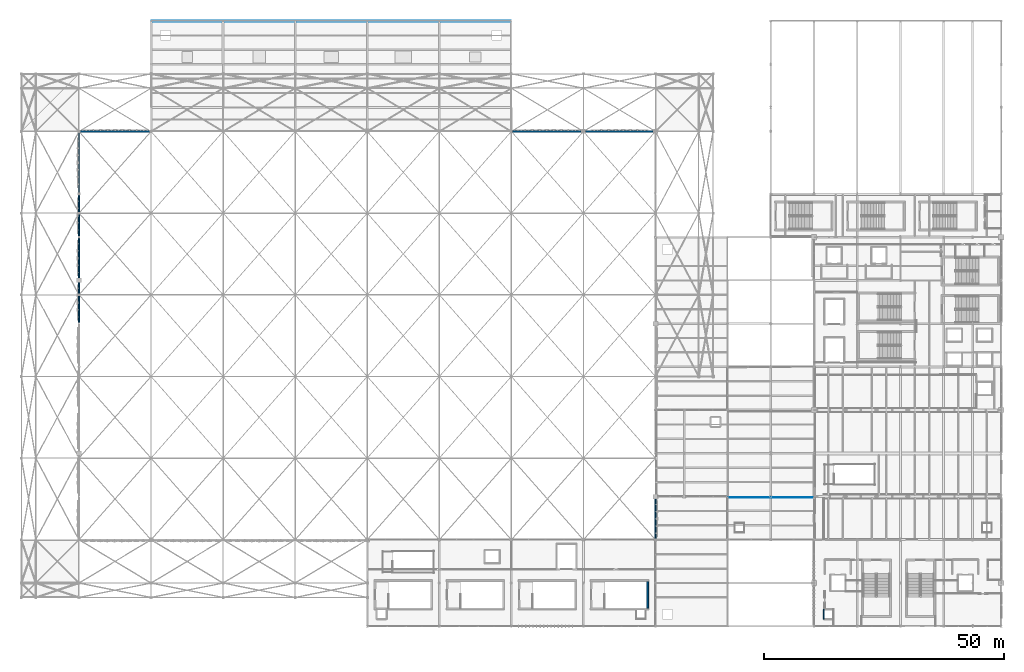
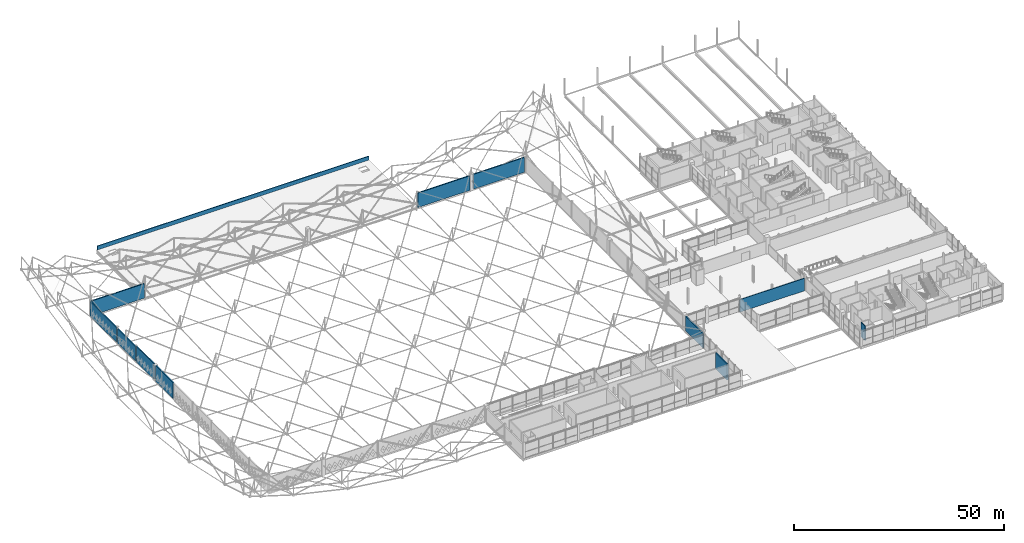
# One storey, part 195 of 224: 12 walls.
"""IFC4 building model written with IfcOpenShell, lengths in metres."""

from ifc_helpers import new_model, si_unit, direction, frame, frame_2d, origin, place, context, subcontext, project, spatial, rectangle, extrude, material, layer, layer_set, type_object, element, save


model = new_model("IFC4")

# Units and contexts
model_context = context("Model", 3, precision=1e-05, world=origin(), true_north=direction((0.0, 1.0)))
body_context = subcontext(model_context, "Body", "Model", "MODEL_VIEW")
ifc_project = project(units=[si_unit("LENGTHUNIT", "METRE"), si_unit("AREAUNIT", "SQUARE_METRE"), si_unit("VOLUMEUNIT", "CUBIC_METRE"), si_unit("PLANEANGLEUNIT", "RADIAN"), si_unit("MASSUNIT", "GRAM", prefix="KILO")], contexts=[model_context])

# Site, building, storey
site_placement = place(None, origin())
site = spatial("IfcSite", under=ifc_project, at=site_placement, CompositionType="ELEMENT")
building_placement = place(site_placement, origin())
building = spatial("IfcBuilding", under=site, at=building_placement, Name="Qamarlyn Nura Convention Centre", CompositionType="ELEMENT")
storey_placement = place(building_placement, frame((0.0, 0.0, 10.800048828125)))
storey = spatial("IfcBuildingStorey", under=building, at=storey_placement, Name="L02", CompositionType="ELEMENT", Elevation=10.800048828125)

# Walls
ifc_material_1 = material(Name="Concrete C50/60", Category="concrete")
ifc_layer_1 = layer(ifc_material_1, 0.35009765625, Name="WT-CORE-350")
ifc_layer_set_1 = layer_set([ifc_layer_1], Name="Concrete C50/60")
wall_type_1 = type_object("IfcWallType", Name="WT-CORE-350", PredefinedType="SHEAR", material=ifc_layer_set_1)
wall_1_placement = place(storey_placement, frame((118.375, 3.800048828125, 0.0), z_axis=(0.0, 0.0, 1.0), x_axis=(0.0, 1.0, 0.0)))
element("IfcWall", 1, at=wall_1_placement, inside=storey, type_object=wall_type_1, Name="L02 stair core shear wall ST-08-E", PredefinedType="SHEAR", context=body_context, shape_type="SweptSolid", body=[
    extrude(rectangle(XDim=5.5, YDim=0.35009765625, at=frame_2d((2.75, 0.0))), origin(), (0.0, 0.0, 1.0), 4.625),
])
ifc_material_2 = material(Name="Concrete C40/50 with UAE coastal limestone stone facing", Category="masonry")
ifc_layer_2 = layer(ifc_material_2, 0.300048828125, Name="WT-LIME-300")
ifc_layer_set_2 = layer_set([ifc_layer_2], Name="Concrete C40/50 with UAE coastal limestone stone facing")
wall_type_2 = type_object("IfcWallType", Name="WT-LIME-300", PredefinedType="SOLIDWALL", material=ifc_layer_set_2)
wall_2_placement = place(storey_placement, frame((0.0, 63.21240234375, 0.0), z_axis=(0.0, 0.0, 1.0), x_axis=(0.0, 1.0, 0.0)))
element("IfcWall", 2, at=wall_2_placement, inside=storey, type_object=wall_type_2, Name="L02 exterior facade wall WEXT-L02-0-632-0-715", PredefinedType="SOLIDWALL", context=body_context, shape_type="SweptSolid", body=[
    extrude(rectangle(XDim=8.3125, YDim=0.300048828125, at=frame_2d((4.15625, 0.0))), origin(), (0.0, 0.0, 1.0), 4.599853515625),
])
wall_3_placement = place(storey_placement, frame((0.0, 72.47509765625, 0.0), z_axis=(0.0, 0.0, 1.0), x_axis=(0.0, 1.0, 0.0)))
element("IfcWall", 3, at=wall_3_placement, inside=storey, type_object=wall_type_2, Name="L02 exterior facade wall WEXT-L02-0-725-0-808", PredefinedType="SOLIDWALL", context=body_context, shape_type="SweptSolid", body=[
    extrude(rectangle(XDim=8.32177734375, YDim=0.300048828125, at=frame_2d((4.160888671875, 0.0))), origin(), (0.0, 0.0, 1.0), 4.599853515625),
])
wall_4_placement = place(storey_placement, frame((0.0, 81.203125, 0.0), z_axis=(0.0, 0.0, 1.0), x_axis=(0.0, 1.0, 0.0)))
element("IfcWall", 4, at=wall_4_placement, inside=storey, type_object=wall_type_2, Name="L02 exterior facade wall WEXT-L02-0-812-0-897", PredefinedType="SOLIDWALL", context=body_context, shape_type="SweptSolid", body=[
    extrude(rectangle(XDim=8.54296875, YDim=0.300048828125, at=frame_2d((4.271484375, 0.0))), origin(), (0.0, 0.0, 1.0), 4.245849609375),
])
wall_5_placement = place(storey_placement, frame((0.0, 90.25390625, 0.0), z_axis=(0.0, 0.0, 1.0), x_axis=(0.0, 1.0, 0.0)))
element("IfcWall", 5, at=wall_5_placement, inside=storey, type_object=wall_type_2, Name="L02 exterior facade wall WEXT-L02-0-903-0-1028", PredefinedType="SOLIDWALL", context=body_context, shape_type="SweptSolid", body=[
    extrude(rectangle(XDim=12.53369140625, YDim=0.300048828125, at=frame_2d((6.266845703125, 0.0))), origin(), (0.0, 0.0, 1.0), 4.31884765625),
])
wall_6_placement = place(storey_placement, frame((0.20458984375, 103.0, 0.0), z_axis=(0.0, 0.0, 1.0), x_axis=(1.0, 0.0, 0.0)))
element("IfcWall", 6, at=wall_6_placement, inside=storey, type_object=wall_type_2, Name="L02 exterior facade wall WEXT-L02-2-1030-148-1030", PredefinedType="SOLIDWALL", context=body_context, shape_type="SweptSolid", body=[
    extrude(rectangle(XDim=14.59228515625, YDim=0.300048828125, at=frame_2d((7.296142578125, 0.0))), origin(), (0.0, 0.0, 1.0), 4.245849609375),
])
wall_7_placement = place(storey_placement, frame((90.203125, 103.0, 0.0), z_axis=(0.0, 0.0, 1.0), x_axis=(1.0, 0.0, 0.0)))
element("IfcWall", 7, at=wall_7_placement, inside=storey, type_object=wall_type_2, Name="L02 exterior facade wall WEXT-L02-902-1030-1045-1030", PredefinedType="SOLIDWALL", context=body_context, shape_type="SweptSolid", body=[
    extrude(rectangle(XDim=14.32177734375, YDim=0.300048828125, at=frame_2d((7.160888671875, 0.0))), origin(), (0.0, 0.0, 1.0), 4.245849609375),
])
wall_8_placement = place(storey_placement, frame((105.47509765625, 103.0, 0.0), z_axis=(0.0, 0.0, 1.0), x_axis=(1.0, 0.0, 0.0)))
element("IfcWall", 8, at=wall_8_placement, inside=storey, type_object=wall_type_2, Name="L02 exterior facade wall WEXT-L02-1055-1030-1195-1030", PredefinedType="SOLIDWALL", context=body_context, shape_type="SweptSolid", body=[
    extrude(rectangle(XDim=14.0498046875, YDim=0.300048828125, at=frame_2d((7.02490234375, 0.0))), origin(), (0.0, 0.0, 1.0), 4.31884765625),
])
wall_9_placement = place(storey_placement, frame((120.0, 26.52490234375, 0.0), z_axis=(0.0, 0.0, 1.0), x_axis=(0.0, -1.0, 0.0)))
element("IfcWall", 9, at=wall_9_placement, inside=storey, type_object=wall_type_2, Name="L02 exterior facade wall WEXT-L02-1200-265-1200-182", PredefinedType="SOLIDWALL", context=body_context, shape_type="SweptSolid", body=[
    extrude(rectangle(XDim=8.3125, YDim=0.300048828125, at=frame_2d((4.15625, 0.0))), origin(), (0.0, 0.0, 1.0), 4.245849609375),
])
ifc_material_3 = material(Name="Concrete C40/50", Category="concrete")
ifc_layer_3 = layer(ifc_material_3, 0.205078125, Name="WT-PAR-205")
ifc_layer_set_3 = layer_set([ifc_layer_3], Name="Concrete C40/50")
wall_type_3 = type_object("IfcWallType", Name="WT-PAR-205", PredefinedType="PARAPET", material=ifc_layer_set_3)
wall_10_placement = place(storey_placement, frame((15.10009765625, 125.89990234375, 0.0), z_axis=(0.0, 0.0, 1.0), x_axis=(1.0, 0.0, 0.0)))
element("IfcWall", 10, at=wall_10_placement, inside=storey, type_object=wall_type_3, Name="L02 roof parapet wall 07", PredefinedType="PARAPET", context=body_context, shape_type="SweptSolid", body=[
    extrude(rectangle(XDim=74.7998046875, YDim=0.205078125, at=frame_2d((37.39990234375, 0.0))), origin(), (0.0, 0.0, 1.0), 1.14990234375),
])
ifc_material_4 = material(Name="Fire-rated acoustic gypsum board EI 60")
ifc_layer_4 = layer(ifc_material_4, 0.159912109375, Name="WT-PART-160")
ifc_layer_set_4 = layer_set([ifc_layer_4], Name="Fire-rated acoustic gypsum board EI 60")
wall_type_4 = type_object("IfcWallType", Name="WT-PART-160", PredefinedType="PARTITIONING", material=ifc_layer_set_4)
wall_11_placement = place(storey_placement, frame((135.011962890625, 26.800048828125, 0.0), z_axis=(0.0, 0.0, 1.0), x_axis=(1.0, 0.0, 0.0)))
element("IfcWall", 11, at=wall_11_placement, inside=storey, type_object=wall_type_4, Name="L02 interior partition L02-BLR-WEST-1-1", PredefinedType="PARTITIONING", context=body_context, shape_type="SweptSolid", body=[
    extrude(rectangle(XDim=17.798095703125, YDim=0.159912109375, at=frame_2d((8.89892578125, 0.0))), origin(), (0.0, 0.0, 1.0), 3.6728515625),
])
ifc_material_5 = material(Name="Fire-rated acoustic gypsum board and mineral wool EI 120")
ifc_layer_5 = layer(ifc_material_5, 0.25, Name="WT-SHAFT-250")
ifc_layer_set_5 = layer_set([ifc_layer_5], Name="Fire-rated acoustic gypsum board and mineral wool EI 120")
wall_type_5 = type_object("IfcWallType", Name="WT-SHAFT-250", PredefinedType="SOLIDWALL", material=ifc_layer_set_5)
wall_12_placement = place(storey_placement, frame((155.0, 3.5, 0.0), z_axis=(0.0, 0.0, 1.0), x_axis=(0.0, -1.0, 0.0)))
element("IfcWall", 12, at=wall_12_placement, inside=storey, type_object=wall_type_5, Name="L02 MEP riser shaft wall 29-W", PredefinedType="SOLIDWALL", context=body_context, shape_type="SweptSolid", body=[
    extrude(rectangle(XDim=2.0, YDim=0.25, at=frame_2d((1.0, 0.0))), origin(), (0.0, 0.0, 1.0), 4.25),
])

save(model, "model.ifc")
